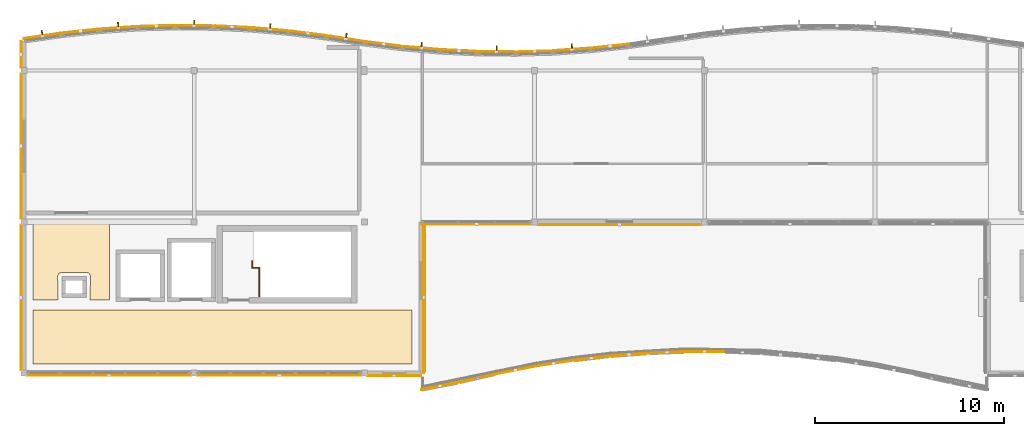
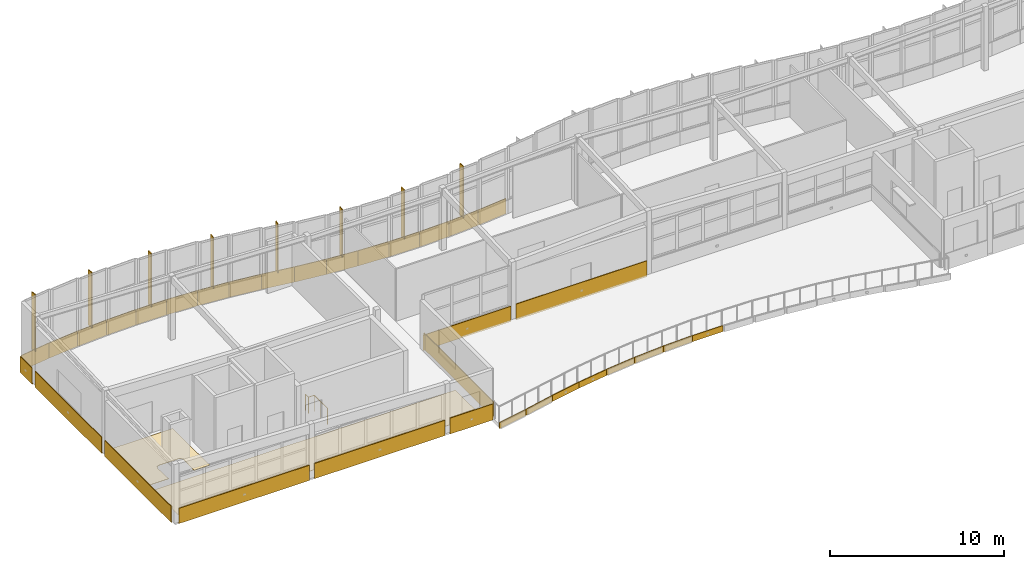
# One storey, part 18 of 20: 35 coverings, 8 shading devices, 1 railing.
"""IFC4 building model written with IfcOpenShell, lengths in metres."""

from ifc_helpers import new_model, si_unit, direction, frame, origin, origin_2d, place, context, subcontext, project, spatial, polyline, rectangle, circle, outline, extrude, material, layer, layer_set, type_object, element, save


model = new_model("IFC4")

# Units and contexts
model_context = context("Model", 3, precision=1e-05, world=origin(), true_north=direction((0.0, 1.0)))
body_context = subcontext(model_context, "Body", "Model", "MODEL_VIEW")
ifc_project = project(units=[si_unit("LENGTHUNIT", "METRE"), si_unit("AREAUNIT", "SQUARE_METRE"), si_unit("VOLUMEUNIT", "CUBIC_METRE"), si_unit("PLANEANGLEUNIT", "RADIAN"), si_unit("MASSUNIT", "GRAM", prefix="KILO")], contexts=[model_context])

# Site, building, storey
site_placement = place(None, origin())
site = spatial("IfcSite", under=ifc_project, at=site_placement, CompositionType="ELEMENT")
building_placement = place(site_placement, origin())
building = spatial("IfcBuilding", under=site, at=building_placement, Name="Tonlespit Floodbar School", CompositionType="ELEMENT")
storey_placement = place(building_placement, frame((0.0, 0.0, 20.10009765625)))
storey = spatial("IfcBuildingStorey", under=building, at=storey_placement, Name="L05", CompositionType="ELEMENT", Elevation=20.10009765625)

# Coverings
ifc_material_1 = material(Name="White Architectural Aluminium", Category="aluminium")
ifc_layer_1 = layer(ifc_material_1, 0.050048828125)
ifc_layer_set_1 = layer_set([ifc_layer_1], Name="White Architectural Aluminium")
covering_type_1 = type_object("IfcCoveringType", Name="Cladding_WhiteBand_50", PredefinedType="CLADDING", material=ifc_layer_set_1)
covering_1_placement = place(storey_placement, frame((0.0, 0.0, -0.1201171875)))
element("IfcCovering", 1, at=covering_1_placement, inside=storey, type_object=covering_type_1, Name="L05 curved white spandrel cladding 0380", PredefinedType="CLADDING", context=body_context, shape_type="SweptSolid", body=[
    extrude(outline(polyline([(43.985595703125, 121.64892578125), (45.985595703125, 121.940673828125), (45.978515625, 121.989990234375), (43.978515625, 121.698486328125), (43.985595703125, 121.64892578125)])), origin(), (0.0, 0.0, 1.0), 1.070068359375),
])
covering_2_placement = place(storey_placement, frame((0.0, 0.0, -0.1201171875)))
element("IfcCovering", 2, at=covering_2_placement, inside=storey, type_object=covering_type_1, Name="L05 curved white spandrel cladding 0382", PredefinedType="CLADDING", context=body_context, shape_type="SweptSolid", body=[
    extrude(outline(polyline([(45.989501953125, 121.94091796875), (47.989501953125, 122.15380859375), (47.984130859375, 122.203369140625), (45.984130859375, 121.99072265625), (45.989501953125, 121.94091796875)])), origin(), (0.0, 0.0, 1.0), 1.070068359375),
])
covering_3_placement = place(storey_placement, frame((0.0, 0.0, -0.1201171875)))
element("IfcCovering", 3, at=covering_3_placement, inside=storey, type_object=covering_type_1, Name="L05 curved white spandrel cladding 0384", PredefinedType="CLADDING", context=body_context, shape_type="SweptSolid", body=[
    extrude(outline(polyline([(47.993408203125, 122.154052734375), (49.993408203125, 122.2890625), (49.989990234375, 122.339111328125), (47.989990234375, 122.2041015625), (47.993408203125, 122.154052734375)])), origin(), (0.0, 0.0, 1.0), 1.070068359375),
])
covering_4_placement = place(storey_placement, frame((0.0, 0.0, -0.1201171875)))
element("IfcCovering", 4, at=covering_4_placement, inside=storey, type_object=covering_type_1, Name="L05 curved white spandrel cladding 0386", PredefinedType="CLADDING", context=body_context, shape_type="SweptSolid", body=[
    extrude(outline(polyline([(49.9970703125, 122.289306640625), (51.9970703125, 122.346923828125), (51.99560546875, 122.39697265625), (49.99560546875, 122.33935546875), (49.9970703125, 122.289306640625)])), origin(), (0.0, 0.0, 1.0), 1.070068359375),
])
covering_5_placement = place(storey_placement, frame((0.0, 0.0, -0.1201171875)))
element("IfcCovering", 5, at=covering_5_placement, inside=storey, type_object=covering_type_1, Name="L05 curved white spandrel cladding 0388", PredefinedType="CLADDING", context=body_context, shape_type="SweptSolid", body=[
    extrude(outline(polyline([(52.0009765625, 122.346923828125), (54.0009765625, 122.327880859375), (54.00146484375, 122.377685546875), (52.00146484375, 122.39697265625), (52.0009765625, 122.346923828125)])), origin(), (0.0, 0.0, 1.0), 1.070068359375),
])
covering_6_placement = place(storey_placement, frame((0.0, 0.0, -0.1201171875)))
element("IfcCovering", 6, at=covering_6_placement, inside=storey, type_object=covering_type_1, Name="L05 curved white spandrel cladding 0390", PredefinedType="CLADDING", context=body_context, shape_type="SweptSolid", body=[
    extrude(outline(polyline([(54.0048828125, 122.32763671875), (56.0048828125, 122.2314453125), (56.007080078125, 122.28125), (54.007080078125, 122.377685546875), (54.0048828125, 122.32763671875)])), origin(), (0.0, 0.0, 1.0), 1.070068359375),
])
covering_7_placement = place(storey_placement, frame((0.0, 0.0, -0.1201171875)))
element("IfcCovering", 7, at=covering_7_placement, inside=storey, type_object=covering_type_1, Name="L05 curved white spandrel cladding 0392", PredefinedType="CLADDING", context=body_context, shape_type="SweptSolid", body=[
    extrude(outline(polyline([(56.0087890625, 122.231201171875), (58.0087890625, 122.057373046875), (58.012939453125, 122.107177734375), (56.012939453125, 122.281005859375), (56.0087890625, 122.231201171875)])), origin(), (0.0, 0.0, 1.0), 1.070068359375),
])
covering_8_placement = place(storey_placement, frame((0.0, 0.0, -0.1201171875)))
element("IfcCovering", 8, at=covering_8_placement, inside=storey, type_object=covering_type_1, Name="L05 curved white spandrel cladding 0394", PredefinedType="CLADDING", context=body_context, shape_type="SweptSolid", body=[
    extrude(outline(polyline([(58.012451171875, 122.056884765625), (60.012451171875, 121.804931640625), (60.018798828125, 121.8544921875), (58.018798828125, 122.1064453125), (58.012451171875, 122.056884765625)])), origin(), (0.0, 0.0, 1.0), 1.070068359375),
])
covering_9_placement = place(storey_placement, frame((0.0, 0.0, -0.1201171875)))
element("IfcCovering", 9, at=covering_9_placement, inside=storey, type_object=covering_type_1, Name="L05 curved white spandrel cladding 0396", PredefinedType="CLADDING", context=body_context, shape_type="SweptSolid", body=[
    extrude(outline(polyline([(60.015380859375, 121.804443359375), (62.015380859375, 121.4931640625), (62.023193359375, 121.54248046875), (60.023193359375, 121.85400390625), (60.015380859375, 121.804443359375)])), origin(), (0.0, 0.0, 1.0), 1.070068359375),
])
covering_10_placement = place(storey_placement, frame((0.0, 0.0, -0.1201171875)))
element("IfcCovering", 10, at=covering_10_placement, inside=storey, type_object=covering_type_1, Name="L05 curved white spandrel cladding 0398", PredefinedType="CLADDING", context=body_context, shape_type="SweptSolid", body=[
    extrude(outline(polyline([(62.012451171875, 121.493408203125), (64.012451171875, 121.241455078125), (64.018798828125, 121.291015625), (62.018798828125, 121.543212890625), (62.012451171875, 121.493408203125)])), origin(), (0.0, 0.0, 1.0), 1.070068359375),
])
covering_11_placement = place(storey_placement, frame((0.0, 0.0, -0.1201171875)))
element("IfcCovering", 11, at=covering_11_placement, inside=storey, type_object=covering_type_1, Name="L05 curved white spandrel cladding 0400", PredefinedType="CLADDING", context=body_context, shape_type="SweptSolid", body=[
    extrude(outline(polyline([(64.0087890625, 121.241943359375), (66.0087890625, 121.068115234375), (66.012939453125, 121.117919921875), (64.012939453125, 121.291748046875), (64.0087890625, 121.241943359375)])), origin(), (0.0, 0.0, 1.0), 1.070068359375),
])
covering_12_placement = place(storey_placement, frame((0.0, 0.0, -0.1201171875)))
element("IfcCovering", 12, at=covering_12_placement, inside=storey, type_object=covering_type_1, Name="L05 curved white spandrel cladding 0402", PredefinedType="CLADDING", context=body_context, shape_type="SweptSolid", body=[
    extrude(outline(polyline([(66.0048828125, 121.068359375), (68.0048828125, 120.97216796875), (68.007080078125, 121.02197265625), (66.007080078125, 121.118408203125), (66.0048828125, 121.068359375)])), origin(), (0.0, 0.0, 1.0), 1.070068359375),
])
covering_13_placement = place(storey_placement, frame((0.0, 0.0, -0.1201171875)))
element("IfcCovering", 13, at=covering_13_placement, inside=storey, type_object=covering_type_1, Name="L05 curved white spandrel cladding 0404", PredefinedType="CLADDING", context=body_context, shape_type="SweptSolid", body=[
    extrude(outline(polyline([(68.0009765625, 120.97216796875), (70.0009765625, 120.952880859375), (70.00146484375, 121.0029296875), (68.00146484375, 121.022216796875), (68.0009765625, 120.97216796875)])), origin(), (0.0, 0.0, 1.0), 1.070068359375),
])
covering_14_placement = place(storey_placement, frame((0.0, 0.0, -0.1201171875)))
element("IfcCovering", 14, at=covering_14_placement, inside=storey, type_object=covering_type_1, Name="L05 curved white spandrel cladding 0406", PredefinedType="CLADDING", context=body_context, shape_type="SweptSolid", body=[
    extrude(outline(polyline([(69.9970703125, 120.952880859375), (71.9970703125, 121.0107421875), (71.99560546875, 121.060791015625), (69.99560546875, 121.0029296875), (69.9970703125, 120.952880859375)])), origin(), (0.0, 0.0, 1.0), 1.070068359375),
])
covering_15_placement = place(storey_placement, frame((0.0, 0.0, -0.1201171875)))
element("IfcCovering", 15, at=covering_15_placement, inside=storey, type_object=covering_type_1, Name="L05 curved white spandrel cladding 0408", PredefinedType="CLADDING", context=body_context, shape_type="SweptSolid", body=[
    extrude(outline(polyline([(71.993408203125, 121.010498046875), (73.993408203125, 121.1455078125), (73.989990234375, 121.1953125), (71.989990234375, 121.060302734375), (71.993408203125, 121.010498046875)])), origin(), (0.0, 0.0, 1.0), 1.070068359375),
])
covering_16_placement = place(storey_placement, frame((0.0, 0.0, -0.1201171875)))
element("IfcCovering", 16, at=covering_16_placement, inside=storey, type_object=covering_type_1, Name="L05 curved white spandrel cladding 0410", PredefinedType="CLADDING", context=body_context, shape_type="SweptSolid", body=[
    extrude(outline(polyline([(73.989501953125, 121.14501953125), (75.989501953125, 121.35791015625), (75.984130859375, 121.407470703125), (73.984130859375, 121.19482421875), (73.989501953125, 121.14501953125)])), origin(), (0.0, 0.0, 1.0), 1.070068359375),
])
covering_17_placement = place(storey_placement, frame((0.0, 0.0, -0.1201171875)))
element("IfcCovering", 17, at=covering_17_placement, inside=storey, type_object=covering_type_1, Name="L05 curved white spandrel cladding 0458", PredefinedType="CLADDING", context=body_context, shape_type="SweptSolid", body=[
    extrude(outline(polyline([(79.840087890625, 111.8798828125), (71.159912109375, 111.8798828125), (71.159912109375, 111.830078125), (79.840087890625, 111.830078125), (79.840087890625, 111.8798828125)])), origin(), (0.0, 0.0, 1.0), 1.1201171875),
])
covering_18_placement = place(storey_placement, frame((0.0, 0.0, -0.1201171875)))
element("IfcCovering", 18, at=covering_18_placement, inside=storey, type_object=covering_type_1, Name="L05 curved white spandrel cladding 0459", PredefinedType="CLADDING", context=body_context, shape_type="SweptSolid", body=[
    extrude(outline(polyline([(70.840087890625, 111.89990234375), (65.0, 111.89990234375), (65.0, 111.85009765625), (70.840087890625, 111.85009765625), (70.840087890625, 111.89990234375)])), origin(), (0.0, 0.0, 1.0), 1.070068359375),
])
covering_19_placement = place(storey_placement, frame((0.0, 0.0, -0.1201171875)))
element("IfcCovering", 19, at=covering_19_placement, inside=storey, type_object=covering_type_1, Name="L05 curved white spandrel cladding 0460", PredefinedType="CLADDING", context=body_context, shape_type="SweptSolid", body=[
    extrude(outline(polyline([(65.1201171875, 112.0), (65.1201171875, 104.0), (65.169921875, 104.0), (65.169921875, 112.0), (65.1201171875, 112.0)])), origin(), (0.0, 0.0, 1.0), 1.1201171875),
])
covering_20_placement = place(storey_placement, frame((0.0, 0.0, -0.1201171875)))
element("IfcCovering", 20, at=covering_20_placement, inside=storey, type_object=covering_type_1, Name="L05 curved white spandrel cladding 0461", PredefinedType="CLADDING", context=body_context, shape_type="SweptSolid", body=[
    extrude(outline(polyline([(65.0, 103.8798828125), (62.159912109375, 103.8798828125), (62.159912109375, 103.830078125), (65.0, 103.830078125), (65.0, 103.8798828125)])), origin(), (0.0, 0.0, 1.0), 1.1201171875),
])
covering_21_placement = place(storey_placement, frame((0.0, 0.0, -0.1201171875)))
element("IfcCovering", 21, at=covering_21_placement, inside=storey, type_object=covering_type_1, Name="L05 curved white spandrel cladding 0462", PredefinedType="CLADDING", context=body_context, shape_type="SweptSolid", body=[
    extrude(outline(polyline([(61.840087890625, 103.89990234375), (53.159912109375, 103.89990234375), (53.159912109375, 103.85009765625), (61.840087890625, 103.85009765625), (61.840087890625, 103.89990234375)])), origin(), (0.0, 0.0, 1.0), 1.070068359375),
])
covering_22_placement = place(storey_placement, frame((0.0, 0.0, -0.1201171875)))
element("IfcCovering", 22, at=covering_22_placement, inside=storey, type_object=covering_type_1, Name="L05 curved white spandrel cladding 0463", PredefinedType="CLADDING", context=body_context, shape_type="SweptSolid", body=[
    extrude(outline(polyline([(52.840087890625, 103.89990234375), (44.159912109375, 103.89990234375), (44.159912109375, 103.85009765625), (52.840087890625, 103.85009765625), (52.840087890625, 103.89990234375)])), origin(), (0.0, 0.0, 1.0), 1.070068359375),
])
covering_23_placement = place(storey_placement, frame((0.0, 0.0, -0.1201171875)))
element("IfcCovering", 23, at=covering_23_placement, inside=storey, type_object=covering_type_1, Name="L05 curved white spandrel cladding 0464", PredefinedType="CLADDING", context=body_context, shape_type="SweptSolid", body=[
    extrude(outline(polyline([(43.8798828125, 104.159912109375), (43.8798828125, 111.840087890625), (43.830078125, 111.840087890625), (43.830078125, 104.159912109375), (43.8798828125, 104.159912109375)])), origin(), (0.0, 0.0, 1.0), 1.1201171875),
])
covering_24_placement = place(storey_placement, frame((0.0, 0.0, -0.1201171875)))
element("IfcCovering", 24, at=covering_24_placement, inside=storey, type_object=covering_type_1, Name="L05 curved white spandrel cladding 0465", PredefinedType="CLADDING", context=body_context, shape_type="SweptSolid", body=[
    extrude(outline(polyline([(43.8798828125, 112.159912109375), (43.8798828125, 119.840087890625), (43.830078125, 119.840087890625), (43.830078125, 112.159912109375), (43.8798828125, 112.159912109375)])), origin(), (0.0, 0.0, 1.0), 1.1201171875),
])
covering_25_placement = place(storey_placement, frame((0.0, 0.0, -0.1201171875)))
element("IfcCovering", 25, at=covering_25_placement, inside=storey, type_object=covering_type_1, Name="L05 curved white spandrel cladding 0466", PredefinedType="CLADDING", context=body_context, shape_type="SweptSolid", body=[
    extrude(outline(polyline([(43.8798828125, 120.159912109375), (43.8798828125, 121.550048828125), (43.830078125, 121.550048828125), (43.830078125, 120.159912109375), (43.8798828125, 120.159912109375)])), origin(), (0.0, 0.0, 1.0), 1.1201171875),
])
covering_26_placement = place(storey_placement, frame((0.0, 0.0, -0.300048828125)))
element("IfcCovering", 26, at=covering_26_placement, inside=storey, type_object=covering_type_1, Name="L05 curved white spandrel cladding 0470", PredefinedType="CLADDING", context=body_context, shape_type="SweptSolid", body=[
    extrude(outline(polyline([(65.0, 103.14111328125), (67.0, 103.533203125), (67.0, 103.483154296875), (65.0, 103.09130859375), (65.0, 103.14111328125)])), origin(), (0.0, 0.0, 1.0), 0.419921875),
])
covering_27_placement = place(storey_placement, frame((0.0, 0.0, -0.300048828125)))
element("IfcCovering", 27, at=covering_27_placement, inside=storey, type_object=covering_type_1, Name="L05 curved white spandrel cladding 0471", PredefinedType="CLADDING", context=body_context, shape_type="SweptSolid", body=[
    extrude(outline(polyline([(67.0, 103.533203125), (69.0, 103.98681640625), (69.0, 103.936767578125), (67.0, 103.483154296875), (67.0, 103.533203125)])), origin(), (0.0, 0.0, 1.0), 0.419921875),
])
covering_28_placement = place(storey_placement, frame((0.0, 0.0, -0.300048828125)))
element("IfcCovering", 28, at=covering_28_placement, inside=storey, type_object=covering_type_1, Name="L05 curved white spandrel cladding 0472", PredefinedType="CLADDING", context=body_context, shape_type="SweptSolid", body=[
    extrude(outline(polyline([(69.0, 103.98681640625), (71.0, 104.37890625), (71.0, 104.328857421875), (69.0, 103.936767578125), (69.0, 103.98681640625)])), origin(), (0.0, 0.0, 1.0), 0.419921875),
])
covering_29_placement = place(storey_placement, frame((0.0, 0.0, -0.300048828125)))
element("IfcCovering", 29, at=covering_29_placement, inside=storey, type_object=covering_type_1, Name="L05 curved white spandrel cladding 0473", PredefinedType="CLADDING", context=body_context, shape_type="SweptSolid", body=[
    extrude(outline(polyline([(71.0, 104.37890625), (73.0, 104.690185546875), (73.0, 104.64013671875), (71.0, 104.328857421875), (71.0, 104.37890625)])), origin(), (0.0, 0.0, 1.0), 0.419921875),
])
covering_30_placement = place(storey_placement, frame((0.0, 0.0, -0.300048828125)))
element("IfcCovering", 30, at=covering_30_placement, inside=storey, type_object=covering_type_1, Name="L05 curved white spandrel cladding 0474", PredefinedType="CLADDING", context=body_context, shape_type="SweptSolid", body=[
    extrude(outline(polyline([(73.0, 104.690185546875), (75.0, 104.922607421875), (75.0, 104.87255859375), (73.0, 104.64013671875), (73.0, 104.690185546875)])), origin(), (0.0, 0.0, 1.0), 0.419921875),
])
covering_31_placement = place(storey_placement, frame((0.0, 0.0, -0.300048828125)))
element("IfcCovering", 31, at=covering_31_placement, inside=storey, type_object=covering_type_1, Name="L05 curved white spandrel cladding 0475", PredefinedType="CLADDING", context=body_context, shape_type="SweptSolid", body=[
    extrude(outline(polyline([(75.0, 104.922607421875), (77.0, 105.076904296875), (77.0, 105.02685546875), (75.0, 104.87255859375), (75.0, 104.922607421875)])), origin(), (0.0, 0.0, 1.0), 0.419921875),
])
covering_32_placement = place(storey_placement, frame((0.0, 0.0, -0.300048828125)))
element("IfcCovering", 32, at=covering_32_placement, inside=storey, type_object=covering_type_1, Name="L05 curved white spandrel cladding 0476", PredefinedType="CLADDING", context=body_context, shape_type="SweptSolid", body=[
    extrude(outline(polyline([(77.0, 105.076904296875), (79.0, 105.15380859375), (79.0, 105.10400390625), (77.0, 105.02685546875), (77.0, 105.076904296875)])), origin(), (0.0, 0.0, 1.0), 0.419921875),
])
covering_33_placement = place(storey_placement, frame((0.0, 0.0, -0.300048828125)))
element("IfcCovering", 33, at=covering_33_placement, inside=storey, type_object=covering_type_1, Name="L05 curved white spandrel cladding 0477", PredefinedType="CLADDING", context=body_context, shape_type="SweptSolid", body=[
    extrude(outline(polyline([(79.0, 105.15380859375), (81.0, 105.15380859375), (81.0, 105.10400390625), (79.0, 105.10400390625), (79.0, 105.15380859375)])), origin(), (0.0, 0.0, 1.0), 0.419921875),
])
ifc_material_2 = material(Name="Terrazzo Tile")
ifc_layer_2 = layer(ifc_material_2, 0.02001953125)
ifc_layer_set_2 = layer_set([ifc_layer_2], Name="Terrazzo Tile")
covering_type_2 = type_object("IfcCoveringType", Name="Flooring_Terrazzo_20", PredefinedType="FLOORING", material=ifc_layer_set_2)
covering_34_placement = place(storey_placement, origin())
element("IfcCovering", 34, at=covering_34_placement, inside=storey, type_object=covering_type_2, Name="L05 West Senior Studio Lobby terrazzo flooring", PredefinedType="FLOORING", context=body_context, shape_type="SweptSolid", body=[
    extrude(outline(polyline([(64.530029296875, 107.330078125), (64.530029296875, 104.469970703125), (44.469970703125, 104.469970703125), (44.469970703125, 107.330078125), (64.530029296875, 107.330078125)])), origin(), (0.0, 0.0, 1.0), 0.02001953125),
])
covering_35_placement = place(storey_placement, origin())
element("IfcCovering", 35, at=covering_35_placement, inside=storey, type_object=covering_type_2, Name="L05 West Lobby Passage L05 terrazzo flooring", PredefinedType="FLOORING", context=body_context, shape_type="SweptSolid", body=[
    extrude(outline(polyline([(45.81298828125, 107.8701171875), (44.469970703125, 107.8701171875), (44.469970703125, 112.1298828125), (48.530029296875, 112.1298828125), (48.530029296875, 107.8701171875), (47.487060546875, 107.8701171875), (47.51904296875, 109.1396484375), (47.447021484375, 109.274658203125), (47.320068359375, 109.320068359375), (45.97998046875, 109.320068359375), (45.838623046875, 109.261474609375), (45.780029296875, 109.1201171875), (45.81298828125, 107.8701171875)])), origin(), (0.0, 0.0, 1.0), 0.02001953125),
])

# Railing
ifc_material_3 = material(Name="Galvanised Steel", Category="steel")
railing_type = type_object("IfcRailingType", Name="Guard_Int_1150", PredefinedType="BALUSTRADE", material=ifc_material_3)
railing_placement = place(storey_placement, frame((56.449951171875, 108.050048828125, 0.0)))
element("IfcRailing", 36, at=railing_placement, inside=storey, type_object=railing_type, Name="L05 ST-C1 top well guard 1", PredefinedType="BALUSTRADE", context=body_context, shape_type="SweptSolid", body=[
    extrude(circle(Radius=0.02392578125, at=origin_2d()), frame((0.0, 0.0, 1.1259765625), z_axis=(0.0, 1.0, 0.0), x_axis=(-1.0, 0.0, 0.0)), (0.0, 0.0, 1.0), 1.52001953125),
    extrude(circle(Radius=0.02392578125, at=origin_2d()), frame((0.0, 1.52001953125, 1.1259765625), z_axis=(-1.0, 0.0, 0.0), x_axis=(0.0, -1.0, 0.0)), (0.0, 0.0, 1.0), 0.3798828125),
    extrude(circle(Radius=0.02392578125, at=origin_2d()), frame((-0.3798828125, 1.52001953125, 1.1259765625), z_axis=(0.0, 1.0, 0.0), x_axis=(-1.0, 0.0, 0.0)), (0.0, 0.0, 1.0), 0.349853515625),
    extrude(circle(Radius=0.02099609375, at=origin_2d()), origin(), (0.0, 0.0, 1.0), 1.101806640625),
    extrude(circle(Radius=0.02099609375, at=origin_2d()), frame((0.0, 0.760009765625, 0.0)), (0.0, 0.0, 1.0), 1.101806640625),
    extrude(circle(Radius=0.02099609375, at=origin_2d()), frame((0.0, 1.52001953125, 0.0)), (0.0, 0.0, 1.0), 1.101806640625),
    extrude(circle(Radius=0.02099609375, at=origin_2d()), frame((-0.3798828125, 1.52001953125, 0.0)), (0.0, 0.0, 1.0), 1.101806640625),
    extrude(circle(Radius=0.02099609375, at=origin_2d()), frame((-0.3798828125, 1.869873046875, 0.0)), (0.0, 0.0, 1.0), 1.101806640625),
])

# Shading devices
ifc_material_4 = material(Name="Terracotta Anodised Aluminium", Category="masonry")
ifc_layer_3 = layer(ifc_material_4, 0.06005859375)
ifc_layer_set_3 = layer_set([ifc_layer_3], Name="Terracotta Anodised Aluminium")
shading_device_type = type_object("IfcShadingDeviceType", Name="Shading_SolarFin_350", PredefinedType="USERDEFINED", material=ifc_layer_set_3)
shading_device_1_placement = place(storey_placement, frame((44.96240234375, 121.953125, 0.7998046875), z_axis=(0.0, 0.0, 1.0), x_axis=(0.989537627347, 0.144275029245, 0.0)))
element("IfcShadingDevice", 37, at=shading_device_1_placement, inside=storey, type_object=shading_device_type, Name="L05 vertical solar fin 093", ObjectType="SOLAR FIN", PredefinedType="USERDEFINED", context=body_context, shape_type="SweptSolid", body=[
    extrude(rectangle(XDim=0.06005859375, YDim=0.35009765625, at=origin_2d()), origin(), (0.0, 0.0, 1.0), 4.021484375),
])
shading_device_2_placement = place(storey_placement, frame((48.982421875, 122.381103515625, 0.7998046875), z_axis=(0.0, 0.0, 1.0), x_axis=(0.997729639049, 0.067346621018, 0.0)))
element("IfcShadingDevice", 38, at=shading_device_2_placement, inside=storey, type_object=shading_device_type, Name="L05 vertical solar fin 094", ObjectType="SOLAR FIN", PredefinedType="USERDEFINED", context=body_context, shape_type="SweptSolid", body=[
    extrude(rectangle(XDim=0.06005859375, YDim=0.35009765625, at=origin_2d()), origin(), (0.0, 0.0, 1.0), 3.893310546875),
])
shading_device_3_placement = place(storey_placement, frame((53.00244140625, 122.497314453125, 0.7998046875), z_axis=(0.0, 0.0, 1.0), x_axis=(0.999953926969, -0.009599163462, 0.0)))
element("IfcShadingDevice", 39, at=shading_device_3_placement, inside=storey, type_object=shading_device_type, Name="L05 vertical solar fin 095", ObjectType="SOLAR FIN", PredefinedType="USERDEFINED", context=body_context, shape_type="SweptSolid", body=[
    extrude(rectangle(XDim=0.06005859375, YDim=0.35009765625, at=origin_2d()), origin(), (0.0, 0.0, 1.0), 3.751708984375),
])
shading_device_4_placement = place(storey_placement, frame((57.0224609375, 122.3037109375, 0.7998046875), z_axis=(0.0, 0.0, 1.0), x_axis=(0.996245486492, -0.086573267488, 0.0)))
element("IfcShadingDevice", 40, at=shading_device_4_placement, inside=storey, type_object=shading_device_type, Name="L05 vertical solar fin 096", ObjectType="SOLAR FIN", PredefinedType="USERDEFINED", context=body_context, shape_type="SweptSolid", body=[
    extrude(rectangle(XDim=0.06005859375, YDim=0.35009765625, at=origin_2d()), origin(), (0.0, 0.0, 1.0), 3.59716796875),
])
shading_device_5_placement = place(storey_placement, frame((61.0400390625, 121.806884765625, 0.7998046875), z_axis=(0.0, 0.0, 1.0), x_axis=(0.988094768361, -0.153846445322, 0.0)))
element("IfcShadingDevice", 41, at=shading_device_5_placement, inside=storey, type_object=shading_device_type, Name="L05 vertical solar fin 097", ObjectType="SOLAR FIN", PredefinedType="USERDEFINED", context=body_context, shape_type="SweptSolid", body=[
    extrude(rectangle(XDim=0.06005859375, YDim=0.35009765625, at=origin_2d()), origin(), (0.0, 0.0, 1.0), 3.4296875),
])
shading_device_6_placement = place(storey_placement, frame((65.0224609375, 121.314453125, 0.7998046875), z_axis=(0.0, 0.0, 1.0), x_axis=(0.996245486492, -0.086573267488, 0.0)))
element("IfcShadingDevice", 42, at=shading_device_6_placement, inside=storey, type_object=shading_device_type, Name="L05 vertical solar fin 098", ObjectType="SOLAR FIN", PredefinedType="USERDEFINED", context=body_context, shape_type="SweptSolid", body=[
    extrude(rectangle(XDim=0.06005859375, YDim=0.35009765625, at=origin_2d()), origin(), (0.0, 0.0, 1.0), 3.34716796875),
])
shading_device_7_placement = place(storey_placement, frame((69.00244140625, 121.12255859375, 0.7998046875), z_axis=(0.0, 0.0, 1.0), x_axis=(0.999953926969, -0.009599163462, 0.0)))
element("IfcShadingDevice", 43, at=shading_device_7_placement, inside=storey, type_object=shading_device_type, Name="L05 vertical solar fin 099", ObjectType="SOLAR FIN", PredefinedType="USERDEFINED", context=body_context, shape_type="SweptSolid", body=[
    extrude(rectangle(XDim=0.06005859375, YDim=0.35009765625, at=origin_2d()), origin(), (0.0, 0.0, 1.0), 3.44775390625),
])
shading_device_8_placement = place(storey_placement, frame((72.982421875, 121.237548828125, 0.7998046875), z_axis=(0.0, 0.0, 1.0), x_axis=(0.997729639049, 0.067346621018, 0.0)))
element("IfcShadingDevice", 44, at=shading_device_8_placement, inside=storey, type_object=shading_device_type, Name="L05 vertical solar fin 100", ObjectType="SOLAR FIN", PredefinedType="USERDEFINED", context=body_context, shape_type="SweptSolid", body=[
    extrude(rectangle(XDim=0.06005859375, YDim=0.35009765625, at=origin_2d()), origin(), (0.0, 0.0, 1.0), 3.646728515625),
])

save(model, "model.ifc")
